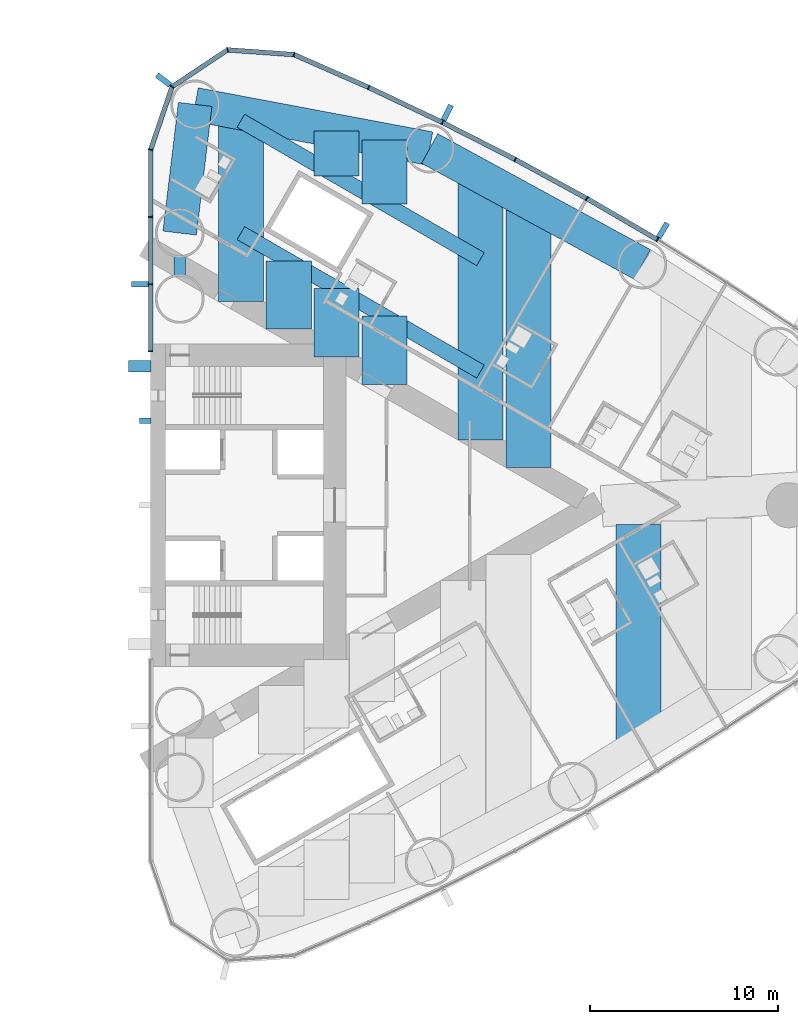
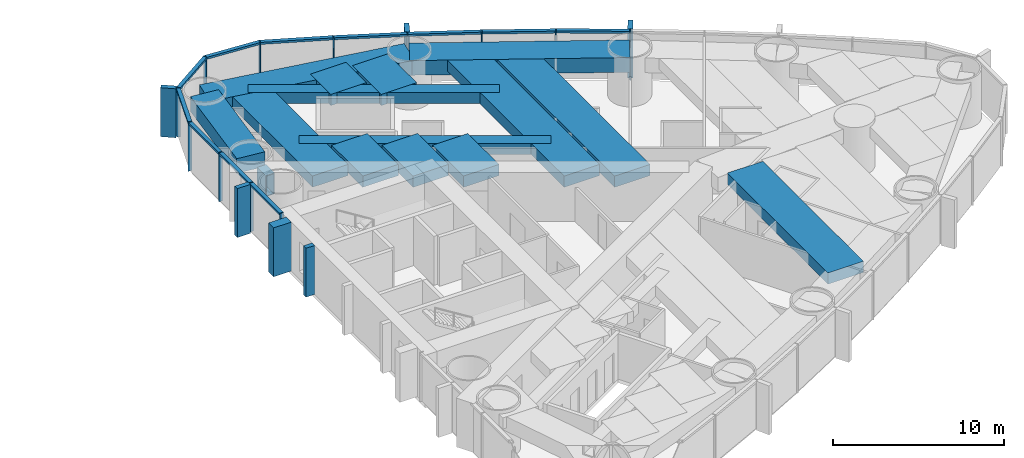
# One storey, part 7 of 18: 29 members, 15 beams, 1 element without a shape of its own.
"""IFC4 building model written with IfcOpenShell, lengths in metres."""

from ifc_helpers import new_model, si_unit, direction, frame, origin, origin_2d, place, context, subcontext, project, spatial, rectangle, hollow_rectangle, extrude, material, material_profile, profile_set, type_object, element, aggregate, save


model = new_model("IFC4")

# Units and contexts
model_context = context("Model", 3, precision=1e-05, world=origin(), true_north=direction((0.0, 1.0)))
body_context = subcontext(model_context, "Body", "Model", "MODEL_VIEW")
ifc_project = project(units=[si_unit("LENGTHUNIT", "METRE"), si_unit("AREAUNIT", "SQUARE_METRE"), si_unit("VOLUMEUNIT", "CUBIC_METRE"), si_unit("PLANEANGLEUNIT", "RADIAN"), si_unit("MASSUNIT", "GRAM", prefix="KILO")], contexts=[model_context])

# Site, building, storey
site_placement = place(None, origin())
site = spatial("IfcSite", under=ifc_project, at=site_placement, CompositionType="ELEMENT")
building_placement = place(site_placement, origin())
building = spatial("IfcBuilding", under=site, at=building_placement, Name="Lancet Gate Hotel", CompositionType="ELEMENT")
storey_placement = place(building_placement, frame((0.0, 0.0, 104.60009765625)))
storey = spatial("IfcBuildingStorey", under=building, at=storey_placement, Name="L27", CompositionType="ELEMENT", Elevation=104.60009765625)

# Curtain wall, members
ifc_material_1 = material(Name="Aluminium curtain wall", Category="aluminium")
curtain_wall_type = type_object("IfcCurtainWallType", Name="Tower unitised curtain wall", PredefinedType="USERDEFINED", material=ifc_material_1)
curtain_wall_placement = place(storey_placement, origin())
curtain_wall = element("IfcCurtainWall", 1, at=curtain_wall_placement, inside=storey, type_object=curtain_wall_type, Name="T2 L27 curtain wall 1", ObjectType="UNITISED CURTAIN WALL", PredefinedType="USERDEFINED")
ifc_material_2 = material(Name="Aluminium mullion", Category="aluminium")
ifc_material_profile_1 = material_profile(ifc_material_2, rectangle(XDim=0.06494140625, YDim=0.25, at=origin_2d()), Name="MULLION 65x250")
ifc_profile_set_1 = profile_set([ifc_material_profile_1], Name="Aluminium mullion")
member_type_1 = type_object("IfcMemberType", Name="Aluminium mullion 65x250", PredefinedType="MULLION", material=ifc_profile_set_1)
member_1_placement = place(storey_placement, frame((54.496337890625, 14.1552734375, 0.0), z_axis=(0.0, 0.0, 1.0), x_axis=(-0.856728030701, 0.515768437781, 0.0)))
member_1 = element("IfcMember", 2, at=member_1_placement, type_object=member_type_1, Name="T2 L27 curtain wall 1 mullion 23", PredefinedType="MULLION", context=body_context, shape_type="SweptSolid", body=[
    extrude(rectangle(XDim=0.06494140625, YDim=0.25, at=origin_2d()), origin(), (0.0, 0.0, 1.0), 3.5),
])
member_2_placement = place(storey_placement, frame((50.740478515625, 16.344482421875, 0.0), z_axis=(0.0, 0.0, 1.0), x_axis=(-0.871028838445, 0.491231882716, 0.0)))
member_2 = element("IfcMember", 3, at=member_2_placement, type_object=member_type_1, Name="T2 L27 curtain wall 1 mullion 24", PredefinedType="MULLION", context=body_context, shape_type="SweptSolid", body=[
    extrude(rectangle(XDim=0.06494140625, YDim=0.25, at=origin_2d()), origin(), (0.0, 0.0, 1.0), 3.5),
])
member_3_placement = place(storey_placement, frame((46.923828125, 18.426025390625, 0.0), z_axis=(0.0, 0.0, 1.0), x_axis=(-0.884627112962, 0.466299121822, 0.0)))
member_3 = element("IfcMember", 4, at=member_3_placement, type_object=member_type_1, Name="T2 L27 curtain wall 1 mullion 25", PredefinedType="MULLION", context=body_context, shape_type="SweptSolid", body=[
    extrude(rectangle(XDim=0.06494140625, YDim=0.25, at=origin_2d()), origin(), (0.0, 0.0, 1.0), 3.5),
])
member_4_placement = place(storey_placement, frame((43.0498046875, 20.398193359375, 0.0), z_axis=(0.0, 0.0, 1.0), x_axis=(-0.897511886496, 0.440990264743, 0.0)))
member_4 = element("IfcMember", 5, at=member_4_placement, type_object=member_type_1, Name="T2 L27 curtain wall 1 mullion 26", PredefinedType="MULLION", context=body_context, shape_type="SweptSolid", body=[
    extrude(rectangle(XDim=0.06494140625, YDim=0.25, at=origin_2d()), origin(), (0.0, 0.0, 1.0), 3.5),
])
member_5_placement = place(storey_placement, frame((39.12109375, 22.259765625, 0.0), z_axis=(0.0, 0.0, 1.0), x_axis=(-0.909672766767, 0.415325724465, 0.0)))
member_5 = element("IfcMember", 6, at=member_5_placement, type_object=member_type_1, Name="T2 L27 curtain wall 1 mullion 27", PredefinedType="MULLION", context=body_context, shape_type="SweptSolid", body=[
    extrude(rectangle(XDim=0.06494140625, YDim=0.25, at=origin_2d()), origin(), (0.0, 0.0, 1.0), 3.5),
])
member_6_placement = place(storey_placement, frame((35.141357421875, 24.009033203125, 0.0), z_axis=(0.0, 0.0, 1.0), x_axis=(-0.966317378791, 0.257353304711, 0.0)))
member_6 = element("IfcMember", 7, at=member_6_placement, type_object=member_type_1, Name="T2 L27 curtain wall 1 mullion 28", PredefinedType="MULLION", context=body_context, shape_type="SweptSolid", body=[
    extrude(rectangle(XDim=0.06494140625, YDim=0.25, at=origin_2d()), origin(), (0.0, 0.0, 1.0), 3.5),
])
member_7_placement = place(storey_placement, frame((31.60205078125, 24.26220703125, 0.0), z_axis=(0.0, 0.0, 1.0), x_axis=(-0.967157174963, -0.254179068604, 0.0)))
member_7 = element("IfcMember", 8, at=member_7_placement, type_object=member_type_1, Name="T2 L27 curtain wall 1 mullion 29", PredefinedType="MULLION", context=body_context, shape_type="SweptSolid", body=[
    extrude(rectangle(XDim=0.06494140625, YDim=0.25, at=origin_2d()), origin(), (0.0, 0.0, 1.0), 3.5),
])
member_8_placement = place(storey_placement, frame((28.64453125, 22.301513671875, 0.0), z_axis=(0.0, 0.0, 1.0), x_axis=(-0.610663954798, -0.79188984986, 0.0)))
member_8 = element("IfcMember", 9, at=member_8_placement, type_object=member_type_1, Name="T2 L27 curtain wall 1 mullion 30", PredefinedType="MULLION", context=body_context, shape_type="SweptSolid", body=[
    extrude(rectangle(XDim=0.06494140625, YDim=0.25, at=origin_2d()), origin(), (0.0, 0.0, 1.0), 3.5),
])
member_9_placement = place(storey_placement, frame((27.5, 18.94287109375, 0.0), z_axis=(0.0, 0.0, 1.0), x_axis=(-0.162738742557, -0.986669195663, 0.0)))
member_9 = element("IfcMember", 10, at=member_9_placement, type_object=member_type_1, Name="T2 L27 curtain wall 1 mullion 31", PredefinedType="MULLION", context=body_context, shape_type="SweptSolid", body=[
    extrude(rectangle(XDim=0.06494140625, YDim=0.25, at=origin_2d()), origin(), (0.0, 0.0, 1.0), 3.5),
])
member_10_placement = place(storey_placement, frame((27.5, 15.362060546875, 0.0), z_axis=(0.0, 0.0, 1.0), x_axis=(0.0, -1.0, 0.0)))
member_10 = element("IfcMember", 11, at=member_10_placement, type_object=member_type_1, Name="T2 L27 curtain wall 1 mullion 32", PredefinedType="MULLION", context=body_context, shape_type="SweptSolid", body=[
    extrude(rectangle(XDim=0.06494140625, YDim=0.25, at=origin_2d()), origin(), (0.0, 0.0, 1.0), 3.5),
])
member_11_placement = place(storey_placement, frame((27.5, 11.781005859375, 0.0), z_axis=(0.0, 0.0, 1.0), x_axis=(0.0, -1.0, 0.0)))
member_11 = element("IfcMember", 12, at=member_11_placement, type_object=member_type_1, Name="T2 L27 curtain wall 1 mullion 33", PredefinedType="MULLION", context=body_context, shape_type="SweptSolid", body=[
    extrude(rectangle(XDim=0.06494140625, YDim=0.25, at=origin_2d()), origin(), (0.0, 0.0, 1.0), 3.5),
])
member_12_placement = place(storey_placement, frame((27.5, 8.199951171875, 0.0), z_axis=(0.0, 0.0, 1.0), x_axis=(0.0, -1.0, 0.0)))
member_12 = element("IfcMember", 13, at=member_12_placement, type_object=member_type_1, Name="T2 L27 curtain wall 1 mullion 34", PredefinedType="MULLION", context=body_context, shape_type="SweptSolid", body=[
    extrude(rectangle(XDim=0.06494140625, YDim=0.25, at=origin_2d()), origin(), (0.0, 0.0, 1.0), 3.5),
])
ifc_material_3 = material(Name="Aluminium transom", Category="aluminium")
ifc_material_profile_2 = material_profile(ifc_material_3, rectangle(XDim=0.25, YDim=0.14990234375, at=origin_2d()), Name="TRANSOM 250x150")
ifc_profile_set_2 = profile_set([ifc_material_profile_2], Name="Aluminium transom")
member_type_2 = type_object("IfcMemberType", Name="Aluminium transom 250x150", PredefinedType="USERDEFINED", material=ifc_profile_set_2)
member_13_placement = place(storey_placement, frame((54.46826171875, 14.171630859375, 3.4248046875), z_axis=(-0.863973212152, 0.503537772847, 0.0), x_axis=(-0.503537772847, -0.863973212152, 0.0)))
member_13 = element("IfcMember", 14, at=member_13_placement, type_object=member_type_2, Name="T2 L27 curtain wall 1 transom 23", ObjectType="TRANSOM", PredefinedType="USERDEFINED", context=body_context, shape_type="SweptSolid", body=[
    extrude(rectangle(XDim=0.25, YDim=0.14990234375, at=origin_2d()), origin(), (0.0, 0.0, 1.0), 4.2822265625),
])
member_14_placement = place(storey_placement, frame((50.7119140625, 16.35986328125, 3.4248046875), z_axis=(-0.877906466435, 0.478832158685, 0.0), x_axis=(-0.478832158685, -0.877906466435, 0.0)))
member_14 = element("IfcMember", 15, at=member_14_placement, type_object=member_type_2, Name="T2 L27 curtain wall 1 transom 24", ObjectType="TRANSOM", PredefinedType="USERDEFINED", context=body_context, shape_type="SweptSolid", body=[
    extrude(rectangle(XDim=0.25, YDim=0.14990234375, at=origin_2d()), origin(), (0.0, 0.0, 1.0), 4.282470703125),
])
member_15_placement = place(storey_placement, frame((46.89501953125, 18.440673828125, 3.4248046875), z_axis=(-0.891165630033, 0.453678101574, 0.0), x_axis=(-0.453678101574, -0.891165630033, 0.0)))
member_15 = element("IfcMember", 16, at=member_15_placement, type_object=member_type_2, Name="T2 L27 curtain wall 1 transom 25", ObjectType="TRANSOM", PredefinedType="USERDEFINED", context=body_context, shape_type="SweptSolid", body=[
    extrude(rectangle(XDim=0.25, YDim=0.14990234375, at=origin_2d()), origin(), (0.0, 0.0, 1.0), 4.282470703125),
])
member_16_placement = place(storey_placement, frame((43.0205078125, 20.412109375, 3.4248046875), z_axis=(-0.903679787814, 0.428208875546, 0.0), x_axis=(-0.428208875546, -0.903679787814, 0.0)))
member_16 = element("IfcMember", 17, at=member_16_placement, type_object=member_type_2, Name="T2 L27 curtain wall 1 transom 26", ObjectType="TRANSOM", PredefinedType="USERDEFINED", context=body_context, shape_type="SweptSolid", body=[
    extrude(rectangle(XDim=0.25, YDim=0.14990234375, at=origin_2d()), origin(), (0.0, 0.0, 1.0), 4.282470703125),
])
member_17_placement = place(storey_placement, frame((39.09130859375, 22.27294921875, 3.4248046875), z_axis=(-0.915484772266, 0.402352621155, 0.0), x_axis=(-0.402352621155, -0.915484772266, 0.0)))
member_17 = element("IfcMember", 18, at=member_17_placement, type_object=member_type_2, Name="T2 L27 curtain wall 1 transom 27", ObjectType="TRANSOM", PredefinedType="USERDEFINED", context=body_context, shape_type="SweptSolid", body=[
    extrude(rectangle(XDim=0.25, YDim=0.14990234375, at=origin_2d()), origin(), (0.0, 0.0, 1.0), 4.281982421875),
])
member_18_placement = place(storey_placement, frame((35.10888671875, 24.01123046875, 3.4248046875), z_axis=(-0.997446232115, 0.071421383636, 0.0), x_axis=(-0.071421383636, -0.997446232115, 0.0)))
member_18 = element("IfcMember", 19, at=member_18_placement, type_object=member_type_2, Name="T2 L27 curtain wall 1 transom 28", ObjectType="TRANSOM", PredefinedType="USERDEFINED", context=body_context, shape_type="SweptSolid", body=[
    extrude(rectangle(XDim=0.25, YDim=0.14990234375, at=origin_2d()), origin(), (0.0, 0.0, 1.0), 3.483154296875),
])
member_19_placement = place(storey_placement, frame((31.574951171875, 24.244384765625, 3.4248046875), z_axis=(-0.833470854141, -0.552563421968, 0.0), x_axis=(0.552563421968, -0.833470854141, 0.0)))
member_19 = element("IfcMember", 20, at=member_19_placement, type_object=member_type_2, Name="T2 L27 curtain wall 1 transom 29", ObjectType="TRANSOM", PredefinedType="USERDEFINED", context=body_context, shape_type="SweptSolid", body=[
    extrude(rectangle(XDim=0.25, YDim=0.14990234375, at=origin_2d()), origin(), (0.0, 0.0, 1.0), 3.4833984375),
])
member_20_placement = place(storey_placement, frame((28.634033203125, 22.270751953125, 3.4248046875), z_axis=(-0.322549769135, -0.946552505903, 0.0), x_axis=(0.946552505903, -0.322549769135, 0.0)))
member_20 = element("IfcMember", 21, at=member_20_placement, type_object=member_type_2, Name="T2 L27 curtain wall 1 transom 30", ObjectType="TRANSOM", PredefinedType="USERDEFINED", context=body_context, shape_type="SweptSolid", body=[
    extrude(rectangle(XDim=0.25, YDim=0.14990234375, at=origin_2d()), origin(), (0.0, 0.0, 1.0), 3.4833984375),
])
member_21_placement = place(storey_placement, frame((27.5, 18.910400390625, 3.4248046875), z_axis=(0.0, -1.0, 0.0), x_axis=(1.0, 0.0, 0.0)))
member_21 = element("IfcMember", 22, at=member_21_placement, type_object=member_type_2, Name="T2 L27 curtain wall 1 transom 31", ObjectType="TRANSOM", PredefinedType="USERDEFINED", context=body_context, shape_type="SweptSolid", body=[
    extrude(rectangle(XDim=0.25, YDim=0.14990234375, at=origin_2d()), origin(), (0.0, 0.0, 1.0), 3.515869140625),
])
member_22_placement = place(storey_placement, frame((27.5, 15.329345703125, 3.4248046875), z_axis=(0.0, -1.0, 0.0), x_axis=(1.0, 0.0, 0.0)))
member_22 = element("IfcMember", 23, at=member_22_placement, type_object=member_type_2, Name="T2 L27 curtain wall 1 transom 32", ObjectType="TRANSOM", PredefinedType="USERDEFINED", context=body_context, shape_type="SweptSolid", body=[
    extrude(rectangle(XDim=0.25, YDim=0.14990234375, at=origin_2d()), origin(), (0.0, 0.0, 1.0), 3.515869140625),
])
member_23_placement = place(storey_placement, frame((27.5, 11.74853515625, 3.4248046875), z_axis=(0.0, -1.0, 0.0), x_axis=(1.0, 0.0, 0.0)))
member_23 = element("IfcMember", 24, at=member_23_placement, type_object=member_type_2, Name="T2 L27 curtain wall 1 transom 33", ObjectType="TRANSOM", PredefinedType="USERDEFINED", context=body_context, shape_type="SweptSolid", body=[
    extrude(rectangle(XDim=0.25, YDim=0.14990234375, at=origin_2d()), origin(), (0.0, 0.0, 1.0), 3.51611328125),
])

# Beams
ifc_material_4 = material(Name="Concrete C50/60", Category="concrete")
ifc_material_profile_3 = material_profile(ifc_material_4, rectangle(XDim=1.800048828125, YDim=1.050048828125, at=origin_2d()), Name="RC 1800x1050")
ifc_profile_set_3 = profile_set([ifc_material_profile_3], Name="Concrete C50/60")
beam_type_1 = type_object("IfcBeamType", Name="Edge beam RC 1800x1050", PredefinedType="SPANDREL", material=ifc_profile_set_3)
beam_1_placement = place(storey_placement, frame((53.697021484375, 12.827392578125, 2.724853515625), z_axis=(-0.87792015078, 0.478807068509, 0.0), x_axis=(-0.478807068509, -0.87792015078, 0.0)))
element("IfcBeam", 25, at=beam_1_placement, inside=storey, type_object=beam_type_1, Name="T2 edge beam EB1 L27", PredefinedType="SPANDREL", context=body_context, shape_type="SweptSolid", body=[
    extrude(rectangle(XDim=1.800048828125, YDim=1.050048828125, at=origin_2d()), origin(), (0.0, 0.0, 1.0), 12.906494140625),
])
beam_2_placement = place(storey_placement, frame((42.3662109375, 19.007080078125, 2.724853515625), z_axis=(-0.982797318081, 0.184687388776, 0.0), x_axis=(-0.184687388776, -0.982797318081, 0.0)))
element("IfcBeam", 26, at=beam_2_placement, inside=storey, type_object=beam_type_1, Name="T2 edge beam EB1 L27", PredefinedType="SPANDREL", context=body_context, shape_type="SweptSolid", body=[
    extrude(rectangle(XDim=1.800048828125, YDim=1.050048828125, at=origin_2d()), origin(), (0.0, 0.0, 1.0), 12.712890625),
])
beam_3_placement = place(storey_placement, frame((29.050048828125, 14.5, 2.724853515625), z_axis=(0.119062951196, 0.99288670736, 0.0), x_axis=(-0.99288670736, 0.119062951196, 0.0)))
element("IfcBeam", 27, at=beam_3_placement, inside=storey, type_object=beam_type_1, Name="T2 edge beam EB1 L27", PredefinedType="SPANDREL", context=body_context, shape_type="SweptSolid", body=[
    extrude(rectangle(XDim=1.800048828125, YDim=1.050048828125, at=origin_2d()), origin(), (0.0, 0.0, 1.0), 6.904052734375),
])

# Member
ifc_material_5 = material(Name="Concrete C60/75", Category="concrete")
ifc_material_profile_4 = material_profile(ifc_material_5, rectangle(XDim=0.60009765625, YDim=1.199951171875, at=origin_2d()), Name="FIN 600x1200")
ifc_profile_set_4 = profile_set([ifc_material_profile_4], Name="Concrete C60/75")
member_type_3 = type_object("IfcMemberType", Name="Exposed concrete buttress pilaster 600x1200", PredefinedType="USERDEFINED", material=ifc_profile_set_4)
member_24_placement = place(storey_placement, frame((26.909912109375, 7.39990234375, 0.0), z_axis=(0.0, 0.0, 1.0), x_axis=(0.0, 1.0, 0.0)))
element("IfcMember", 28, at=member_24_placement, inside=storey, type_object=member_type_3, Name="T2 buttress pilaster N L27", ObjectType="FIN", PredefinedType="USERDEFINED", context=body_context, shape_type="SweptSolid", body=[
    extrude(rectangle(XDim=0.60009765625, YDim=1.199951171875, at=origin_2d()), origin(), (0.0, 0.0, 1.0), 3.5),
])

ifc_material_6 = material(Name="Precast concrete C50/60", Category="concrete")
ifc_material_profile_5 = material_profile(ifc_material_6, rectangle(XDim=0.300048828125, YDim=0.89990234375, at=origin_2d()), Name="FIN 300x900")
ifc_profile_set_5 = profile_set([ifc_material_profile_5], Name="Precast concrete C50/60")
member_type_4 = type_object("IfcMemberType", Name="Exposed concrete fin 300x900", PredefinedType="USERDEFINED", material=ifc_profile_set_5)
member_25_placement = place(storey_placement, frame((54.79296875, 14.64794921875, 0.0), z_axis=(0.0, 0.0, 1.0), x_axis=(-0.856728030701, 0.515768437781, 0.0)))
member_25 = element("IfcMember", 29, at=member_25_placement, type_object=member_type_4, Name="T2 L27 curtain wall 1 fin 23", ObjectType="FIN", PredefinedType="USERDEFINED", context=body_context, shape_type="SweptSolid", body=[
    extrude(rectangle(XDim=0.300048828125, YDim=0.89990234375, at=origin_2d()), origin(), (0.0, 0.0, 1.0), 3.5),
])

member_26_placement = place(storey_placement, frame((43.30322265625, 20.914306640625, 0.0), z_axis=(0.0, 0.0, 1.0), x_axis=(-0.897511886496, 0.440990264743, 0.0)))
member_26 = element("IfcMember", 30, at=member_26_placement, type_object=member_type_4, Name="T2 L27 curtain wall 1 fin 26", ObjectType="FIN", PredefinedType="USERDEFINED", context=body_context, shape_type="SweptSolid", body=[
    extrude(rectangle(XDim=0.300048828125, YDim=0.89990234375, at=origin_2d()), origin(), (0.0, 0.0, 1.0), 3.5),
])

member_27_placement = place(storey_placement, frame((28.189208984375, 22.65283203125, 0.0), z_axis=(0.0, 0.0, 1.0), x_axis=(-0.610663954798, -0.79188984986, 0.0)))
member_27 = element("IfcMember", 31, at=member_27_placement, type_object=member_type_4, Name="T2 L27 curtain wall 1 fin 30", ObjectType="FIN", PredefinedType="USERDEFINED", context=body_context, shape_type="SweptSolid", body=[
    extrude(rectangle(XDim=0.300048828125, YDim=0.89990234375, at=origin_2d()), origin(), (0.0, 0.0, 1.0), 3.5),
])

member_28_placement = place(storey_placement, frame((26.925048828125, 11.781005859375, 0.0), z_axis=(0.0, 0.0, 1.0), x_axis=(0.0, -1.0, 0.0)))
member_28 = element("IfcMember", 32, at=member_28_placement, type_object=member_type_4, Name="T2 L27 curtain wall 1 fin 33", ObjectType="FIN", PredefinedType="USERDEFINED", context=body_context, shape_type="SweptSolid", body=[
    extrude(rectangle(XDim=0.300048828125, YDim=0.89990234375, at=origin_2d()), origin(), (0.0, 0.0, 1.0), 3.5),
])

aggregate(curtain_wall, [member_1, member_25, member_2, member_3, member_4, member_26, member_5, member_6, member_7, member_8, member_27, member_9, member_10, member_11, member_28, member_12, member_13, member_14, member_15, member_16, member_17, member_18, member_19, member_20, member_21, member_22, member_23])

ifc_material_7 = material(Name="Concrete C60/75", Category="concrete")
ifc_material_profile_6 = material_profile(ifc_material_7, rectangle(XDim=0.300048828125, YDim=0.60009765625, at=origin_2d()), Name="FIN 300x600")
ifc_profile_set_6 = profile_set([ifc_material_profile_6], Name="Concrete C60/75")
member_type_5 = type_object("IfcMemberType", Name="Exposed concrete rib 300x600", PredefinedType="USERDEFINED", material=ifc_profile_set_6)
member_29_placement = place(storey_placement, frame((27.2099609375, 4.5, 0.0), z_axis=(0.0, 0.0, 1.0), x_axis=(0.0, 1.0, 0.0)))
element("IfcMember", 33, at=member_29_placement, inside=storey, type_object=member_type_5, Name="T2 core rib 3 L27", ObjectType="FIN", PredefinedType="USERDEFINED", context=body_context, shape_type="SweptSolid", body=[
    extrude(rectangle(XDim=0.300048828125, YDim=0.60009765625, at=origin_2d()), origin(), (0.0, 0.0, 1.0), 3.5),
])

# Beams
ifc_material_8 = material(Name="Concrete C50/60", Category="concrete")
ifc_material_profile_7 = material_profile(ifc_material_8, rectangle(XDim=2.39990234375, YDim=0.800048828125, at=origin_2d()), Name="RC 2400x800")
ifc_profile_set_7 = profile_set([ifc_material_profile_7], Name="Concrete C50/60")
beam_type_2 = type_object("IfcBeamType", Name="Floor beam RC 2400x800", PredefinedType="BEAM", material=ifc_profile_set_7)
beam_4_placement = place(storey_placement, frame((32.306396484375, 10.851806640625, 2.849853515625), z_axis=(0.0, 1.0, 0.0), x_axis=(-1.0, 0.0, 0.0)))
element("IfcBeam", 34, at=beam_4_placement, inside=storey, type_object=beam_type_2, Name="T2 floor beam F02N L27", PredefinedType="BEAM", context=body_context, shape_type="SweptSolid", body=[
    extrude(rectangle(XDim=2.39990234375, YDim=0.800048828125, at=origin_2d()), origin(), (0.0, 0.0, 1.0), 10.0458984375),
])
beam_5_placement = place(storey_placement, frame((45.072265625, 3.4814453125, 2.849853515625), z_axis=(0.0, 1.0, 0.0), x_axis=(-1.0, 0.0, 0.0)))
element("IfcBeam", 35, at=beam_5_placement, inside=storey, type_object=beam_type_2, Name="T2 floor beam F10N L27", PredefinedType="BEAM", context=body_context, shape_type="SweptSolid", body=[
    extrude(rectangle(XDim=2.39990234375, YDim=0.800048828125, at=origin_2d()), origin(), (0.0, 0.0, 1.0), 14.0498046875),
])
beam_6_placement = place(storey_placement, frame((47.62548828125, 2.00732421875, 2.849853515625), z_axis=(0.0, 1.0, 0.0), x_axis=(-1.0, 0.0, 0.0)))
element("IfcBeam", 36, at=beam_6_placement, inside=storey, type_object=beam_type_2, Name="T2 floor beam F12N L27", PredefinedType="BEAM", context=body_context, shape_type="SweptSolid", body=[
    extrude(rectangle(XDim=2.39990234375, YDim=0.800048828125, at=origin_2d()), origin(), (0.0, 0.0, 1.0), 14.13134765625),
])
beam_7_placement = place(storey_placement, frame((53.502197265625, -12.804443359375, 2.849853515625), z_axis=(0.0, 1.0, 0.0), x_axis=(-1.0, 0.0, 0.0)))
element("IfcBeam", 37, at=beam_7_placement, inside=storey, type_object=beam_type_2, Name="T2 floor beam F13S L27", PredefinedType="BEAM", context=body_context, shape_type="SweptSolid", body=[
    extrude(rectangle(XDim=2.39990234375, YDim=0.800048828125, at=origin_2d()), origin(), (0.0, 0.0, 1.0), 11.78564453125),
])
beam_8_placement = place(storey_placement, frame((34.859619140625, 9.377685546875, 2.849853515625), z_axis=(0.0, 1.0, 0.0), x_axis=(-1.0, 0.0, 0.0)))
element("IfcBeam", 38, at=beam_8_placement, inside=storey, type_object=beam_type_2, Name="T2 floor beam F04NA L27", PredefinedType="BEAM", context=body_context, shape_type="SweptSolid", body=[
    extrude(rectangle(XDim=2.39990234375, YDim=0.800048828125, at=origin_2d()), origin(), (0.0, 0.0, 1.0), 3.645751953125),
])
beam_9_placement = place(storey_placement, frame((37.412841796875, 7.903564453125, 2.849853515625), z_axis=(0.0, 1.0, 0.0), x_axis=(-1.0, 0.0, 0.0)))
element("IfcBeam", 39, at=beam_9_placement, inside=storey, type_object=beam_type_2, Name="T2 floor beam F06NA L27", PredefinedType="BEAM", context=body_context, shape_type="SweptSolid", body=[
    extrude(rectangle(XDim=2.39990234375, YDim=0.800048828125, at=origin_2d()), origin(), (0.0, 0.0, 1.0), 3.6455078125),
])
beam_10_placement = place(storey_placement, frame((37.412841796875, 17.537109375, 2.849853515625), z_axis=(0.0, 1.0, 0.0), x_axis=(-1.0, 0.0, 0.0)))
element("IfcBeam", 40, at=beam_10_placement, inside=storey, type_object=beam_type_2, Name="T2 floor beam F06NB L27", PredefinedType="BEAM", context=body_context, shape_type="SweptSolid", body=[
    extrude(rectangle(XDim=2.39990234375, YDim=0.800048828125, at=origin_2d()), origin(), (0.0, 0.0, 1.0), 2.40087890625),
])
beam_11_placement = place(storey_placement, frame((39.9658203125, 6.429443359375, 2.849853515625), z_axis=(0.0, 1.0, 0.0), x_axis=(-1.0, 0.0, 0.0)))
element("IfcBeam", 41, at=beam_11_placement, inside=storey, type_object=beam_type_2, Name="T2 floor beam F08NA L27", PredefinedType="BEAM", context=body_context, shape_type="SweptSolid", body=[
    extrude(rectangle(XDim=2.39990234375, YDim=0.800048828125, at=origin_2d()), origin(), (0.0, 0.0, 1.0), 3.64501953125),
])
beam_12_placement = place(storey_placement, frame((39.9658203125, 16.062744140625, 2.849853515625), z_axis=(0.0, 1.0, 0.0), x_axis=(-1.0, 0.0, 0.0)))
element("IfcBeam", 42, at=beam_12_placement, inside=storey, type_object=beam_type_2, Name="T2 floor beam F08NB L27", PredefinedType="BEAM", context=body_context, shape_type="SweptSolid", body=[
    extrude(rectangle(XDim=2.39990234375, YDim=0.800048828125, at=origin_2d()), origin(), (0.0, 0.0, 1.0), 3.3955078125),
])
ifc_material_9 = material(Name="Steel S460QL", Category="steel")
ifc_material_profile_8 = material_profile(ifc_material_9, hollow_rectangle(XDim=0.60009765625, YDim=1.5, WallThickness=0.050048828125, at=origin_2d()), Name="BOX 1500x600x50")
ifc_profile_set_8 = profile_set([ifc_material_profile_8], Name="Steel S460QL")
beam_type_3 = type_object("IfcBeamType", Name="Inner-face link beam BOX 1500x600x50", PredefinedType="BEAM", material=ifc_profile_set_8)
beam_13_placement = place(storey_placement, frame((29.050048828125, 12.25, 2.5), z_axis=(0.0, 1.0, 0.0), x_axis=(-1.0, 0.0, 0.0)))
element("IfcBeam", 43, at=beam_13_placement, inside=storey, type_object=beam_type_3, Name="T2 inner-face link beam LK1 L27", PredefinedType="BEAM", context=body_context, shape_type="SweptSolid", body=[
    extrude(hollow_rectangle(XDim=0.60009765625, YDim=1.5, WallThickness=0.050048828125, at=origin_2d()), origin(), (0.0, 0.0, 1.0), 1.0),
])
ifc_material_10 = material(Name="Steel S460QL", Category="steel")
ifc_material_profile_9 = material_profile(ifc_material_10, hollow_rectangle(XDim=0.800048828125, YDim=0.800048828125, WallThickness=0.080078125, at=origin_2d()), Name="BOX 800x800x80")
ifc_profile_set_9 = profile_set([ifc_material_profile_9], Name="Steel S460QL")
beam_type_4 = type_object("IfcBeamType", Name="Trimmer beam BOX 800x800x80", PredefinedType="BEAM", material=ifc_profile_set_9)
beam_14_placement = place(storey_placement, frame((32.306396484375, 20.48583984375, 2.849853515625), z_axis=(0.86598286195, -0.500073677381, 0.0), x_axis=(0.500073677381, 0.86598286195, 0.0)))
element("IfcBeam", 44, at=beam_14_placement, inside=storey, type_object=beam_type_4, Name="T2 trimmer beam TR03N L27", PredefinedType="BEAM", context=body_context, shape_type="SweptSolid", body=[
    extrude(hollow_rectangle(XDim=0.800048828125, YDim=0.800048828125, WallThickness=0.080078125, at=origin_2d()), origin(), (0.0, 0.0, 1.0), 14.741455078125),
])
beam_15_placement = place(storey_placement, frame((32.306396484375, 14.497802734375, 2.849853515625), z_axis=(0.865975689888, -0.500086097111, 0.0), x_axis=(0.500086097111, 0.865975689888, 0.0)))
element("IfcBeam", 45, at=beam_15_placement, inside=storey, type_object=beam_type_4, Name="T2 trimmer beam TR04N L27", PredefinedType="BEAM", context=body_context, shape_type="SweptSolid", body=[
    extrude(hollow_rectangle(XDim=0.800048828125, YDim=0.800048828125, WallThickness=0.080078125, at=origin_2d()), origin(), (0.0, 0.0, 1.0), 14.74169921875),
])

save(model, "model.ifc")
